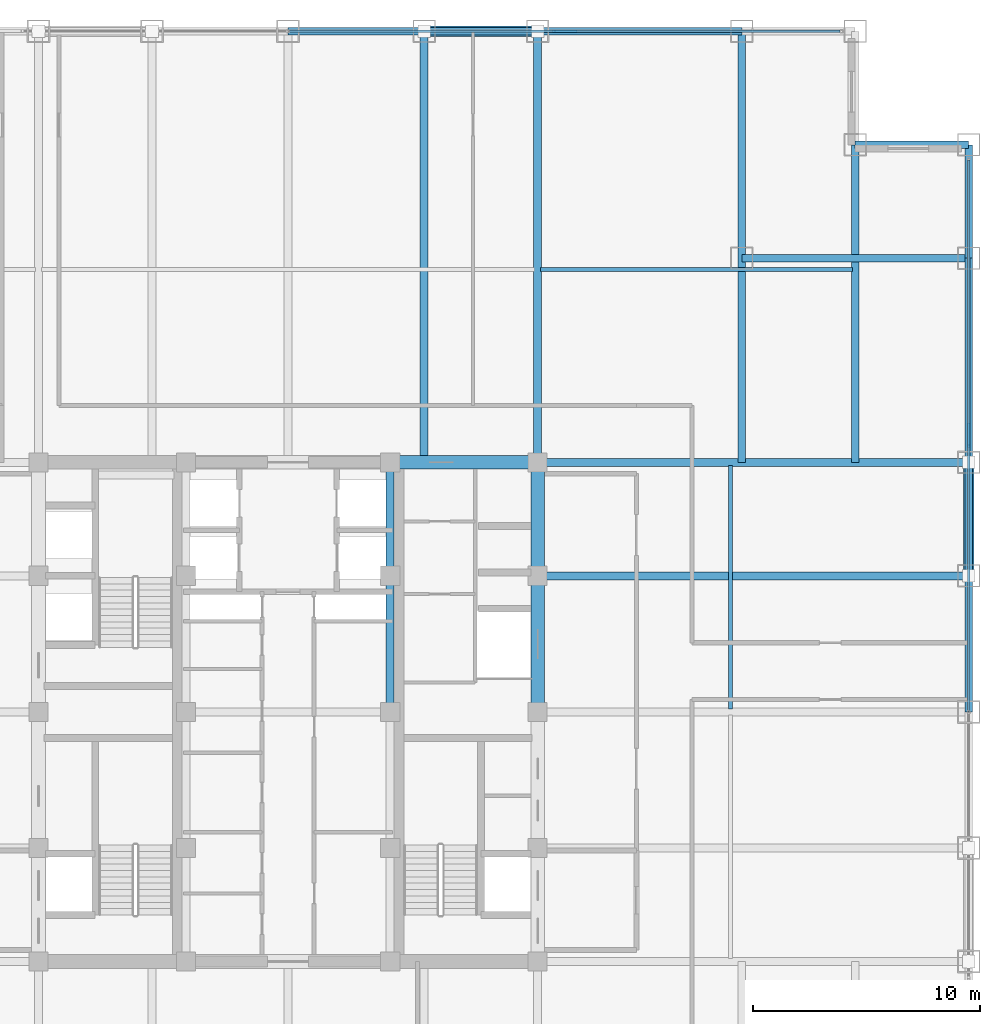
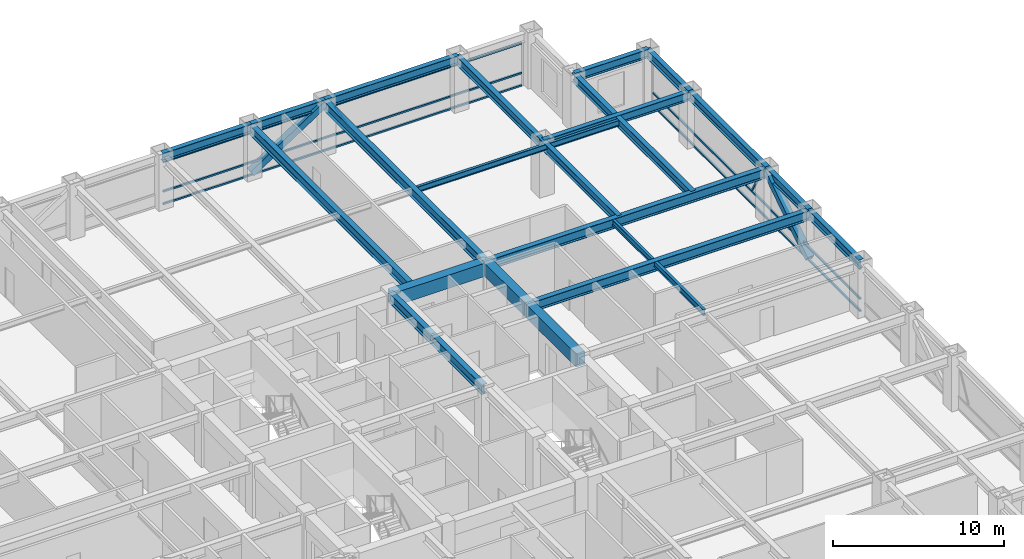
# One storey, part 17 of 24: 22 beams, 10 members, 2 elements without a shape of their own.
"""IFC4 building model written with IfcOpenShell, lengths in metres."""

import ifcopenshell
import ifcopenshell.guid

model = None  # the IFC model being written
_history = None  # IfcOwnerHistory: only IFC2X3 demands one
_inside = {}  # id of a spatial element -> (the spatial element, [elements in it])
_under = {}  # id of a project, library or spatial element -> (it, [spatial elements below it])
_declared = {}  # id of a project -> (the project, [libraries it declares])
_typed = {}  # id of a type object -> (the type object, [elements of that type])
_made_of = {}  # id of a material, layer set ... -> (it, [elements and type objects made of it])


def new_model(schema):
    """Start an empty IFC model of exactly this schema.

    Asked for "IFC4X3", IfcOpenShell would pick the latest addendum, in which some entities
    have other attributes; the version numbers below select the first issue.
    IFC2X3 requires an IfcOwnerHistory on every rooted entity: one is made here for all.
    """
    global model, _history
    if schema == "IFC4X3":
        model = ifcopenshell.file(schema_version=(4, 3, 0, 0))
    else:
        model = ifcopenshell.file(schema=schema)
    _inside.clear()
    _under.clear()
    _declared.clear()
    _typed.clear()
    _made_of.clear()
    _history = None
    if model.schema == "IFC2X3":
        org = make("IfcOrganization", Name="unknown")
        user = make(
            "IfcPersonAndOrganization",
            ThePerson=make("IfcPerson", FamilyName="unknown"),
            TheOrganization=org,
        )
        app = make(
            "IfcApplication",
            ApplicationDeveloper=org,
            Version="unknown",
            ApplicationFullName="unknown",
            ApplicationIdentifier="unknown",
        )
        _history = make(
            "IfcOwnerHistory",
            OwningUser=user,
            OwningApplication=app,
            ChangeAction="ADDED",
            CreationDate=0,
        )
    return model


def make(cls, **values):
    """One entity of the class cls with the attributes given. An attribute that is None is left unset."""
    return model.create_entity(
        cls, **{name: value for name, value in values.items() if value is not None}
    )


def rooted(cls, **values):
    """An entity with a GlobalId (a new one), such as an element, a storey or a relation."""
    return make(cls, GlobalId=ifcopenshell.guid.new(), OwnerHistory=_history, **values)


def si_unit(unit_type, name, prefix=None):
    """IfcSIUnit, for example si_unit("LENGTHUNIT", "METRE", prefix="MILLI")."""
    return make("IfcSIUnit", UnitType=unit_type, Prefix=prefix, Name=name)


def assignment(units):
    """IfcUnitAssignment: the units of a project."""
    return None if units is None else make("IfcUnitAssignment", Units=units)


def point(xyz):
    """IfcCartesianPoint."""
    return None if xyz is None else make("IfcCartesianPoint", Coordinates=xyz)


def direction(xyz):
    """IfcDirection."""
    return None if xyz is None else make("IfcDirection", DirectionRatios=xyz)


def frame(location, z_axis=None, x_axis=None):
    """IfcAxis2Placement3D, a coordinate frame: its origin and axes. An axis left out is left unset."""
    return make(
        "IfcAxis2Placement3D",
        Location=point(location),
        Axis=direction(z_axis),
        RefDirection=direction(x_axis),
    )


def frame_2d(location, x_axis=None):
    """IfcAxis2Placement2D, a coordinate frame in the plane: its origin and x axis."""
    return make(
        "IfcAxis2Placement2D", Location=point(location), RefDirection=direction(x_axis)
    )


def origin():
    """The frame at (0, 0, 0) with its axes left unset."""
    return frame((0.0, 0.0, 0.0))


def origin_2d():
    """The frame at (0, 0) in the plane with its x axis left unset."""
    return frame_2d((0.0, 0.0))


def place(relative_to, where):
    """IfcLocalPlacement: puts the frame where relative to a parent placement (None: the world)."""
    return make(
        "IfcLocalPlacement", PlacementRelTo=relative_to, RelativePlacement=where
    )


def context(
    kind, dimensions, precision=None, world=None, true_north=None, identifier=None
):
    """IfcGeometricRepresentationContext, for example the 3D "Model" context."""
    return make(
        "IfcGeometricRepresentationContext",
        ContextIdentifier=identifier,
        ContextType=kind,
        CoordinateSpaceDimension=dimensions,
        Precision=precision,
        WorldCoordinateSystem=world,
        TrueNorth=true_north,
    )


def subcontext(parent, identifier, kind, view, scale=None):
    """IfcGeometricRepresentationSubContext, for example "Body" below "Model"."""
    return make(
        "IfcGeometricRepresentationSubContext",
        ContextIdentifier=identifier,
        ContextType=kind,
        ParentContext=parent,
        TargetScale=scale,
        TargetView=view,
    )


def project(units=None, contexts=None):
    """IfcProject with its units and contexts."""
    return rooted(
        "IfcProject",
        Name="project",
        RepresentationContexts=contexts,
        UnitsInContext=assignment(units),
    )


def spatial(cls, under=None, at=None, **own):
    """A site, building, storey or space (cls), placed at a placement, below another one or the project."""
    s = rooted(cls, ObjectPlacement=at, **own)
    if under is not None:
        _under.setdefault(under.id(), (under, []))[1].append(s)
    return s


def profile(cls, at=None, kind="AREA", **sizes):
    """A parametric profile (cls). Its sizes go by their IFC names, for example OverallWidth=200.0."""
    return make(cls, ProfileType=kind, Position=at, **sizes)


def rectangle(**sizes):
    """IfcRectangleProfileDef."""
    return profile("IfcRectangleProfileDef", **sizes)


def hollow_rectangle(**sizes):
    """IfcRectangleHollowProfileDef."""
    return profile("IfcRectangleHollowProfileDef", **sizes)


def i_section(**sizes):
    """IfcIShapeProfileDef."""
    return profile("IfcIShapeProfileDef", **sizes)


def extrude(swept, where, along, depth):
    """IfcExtrudedAreaSolid: the profile swept, set in the frame where, extruded along a direction by depth."""
    return make(
        "IfcExtrudedAreaSolid",
        SweptArea=swept,
        Position=where,
        ExtrudedDirection=direction(along),
        Depth=depth,
    )


def shape(context_of_items, identifier, shape_type, items):
    """IfcShapeRepresentation: the items that make up one representation, for example the "Body"."""
    return make(
        "IfcShapeRepresentation",
        ContextOfItems=context_of_items,
        RepresentationIdentifier=identifier,
        RepresentationType=shape_type,
        Items=items,
    )


def source(mapping_origin, context_of_items, identifier, shape_type, items):
    """IfcRepresentationMap: a shape defined once, which mapped items show again and again."""
    return make(
        "IfcRepresentationMap",
        MappingOrigin=mapping_origin,
        MappedRepresentation=shape(context_of_items, identifier, shape_type, items),
    )


def transform(
    local_origin,
    x_axis=None,
    y_axis=None,
    z_axis=None,
    scale=None,
    scale2=None,
    scale3=None,
    uniform=True,
):
    """IfcCartesianTransformationOperator3D, or its non-uniform kind. x_axis, y_axis, z_axis: its Axis1, 2, 3."""
    if uniform:
        return make(
            "IfcCartesianTransformationOperator3D",
            Axis1=direction(x_axis),
            Axis2=direction(y_axis),
            LocalOrigin=point(local_origin),
            Scale=scale,
            Axis3=direction(z_axis),
        )
    return make(
        "IfcCartesianTransformationOperator3DnonUniform",
        Axis1=direction(x_axis),
        Axis2=direction(y_axis),
        LocalOrigin=point(local_origin),
        Scale=scale,
        Axis3=direction(z_axis),
        Scale2=scale2,
        Scale3=scale3,
    )


def mapped(mapping_source, mapping_target):
    """IfcMappedItem: shows the shape of a source again, moved by a transform."""
    return make(
        "IfcMappedItem", MappingSource=mapping_source, MappingTarget=mapping_target
    )


def material(Name=None, Category=None):
    """IfcMaterial."""
    return make("IfcMaterial", Name=Name, Category=Category)


def material_profile(
    of_material, cross_section, Name=None, Category=None, Priority=None
):
    """IfcMaterialProfile: a cross section and its material."""
    return make(
        "IfcMaterialProfile",
        Name=Name,
        Material=of_material,
        Profile=cross_section,
        Priority=Priority,
        Category=Category,
    )


def profile_set(profiles, Name=None, composite=None):
    """IfcMaterialProfileSet."""
    return make(
        "IfcMaterialProfileSet",
        Name=Name,
        MaterialProfiles=profiles,
        CompositeProfile=composite,
    )


def made_of(thing, what):
    """Note that an element or type object is made of a material, layer set ...; save() writes the relation."""
    if what is not None:
        _made_of.setdefault(what.id(), (what, []))[1].append(thing)
    return thing


def type_object(cls, material=None, **own):
    """A type object (cls), such as IfcWallType, which elements share."""
    return made_of(rooted(cls, **own), material)


def element(
    cls,
    number,
    at=None,
    inside=None,
    cuts=None,
    type_object=None,
    material=None,
    context=None,
    identifier="Body",
    shape_type=None,
    held_by="IfcProductDefinitionShape",
    body=None,
    shapes=None,
    **own,
):
    """One element of the class cls, such as IfcWall. Its Tag is "e" and its number.

    at: its placement. inside: the storey or other place that contains it. cuts: it is an
    opening in that element (IfcRelVoidsElement). A single representation is given by context,
    identifier, shape_type and body (its items); several are given by shapes. held_by: the class
    of the entity that holds the representations. save() writes the other relations.
    """
    e = rooted(cls, Tag="e%d" % number, ObjectPlacement=at, **own)
    if body is not None:
        shapes = [shape(context, identifier, shape_type, body)]
    if shapes is not None:
        e.Representation = make(held_by, Representations=shapes)
    if inside is not None:
        _inside.setdefault(inside.id(), (inside, []))[1].append(e)
    if cuts is not None:
        rooted(
            "IfcRelVoidsElement", RelatingBuildingElement=cuts, RelatedOpeningElement=e
        )
    if type_object is not None:
        _typed.setdefault(type_object.id(), (type_object, []))[1].append(e)
    return made_of(e, material)


def aggregate(whole, parts):
    """IfcRelAggregates: a whole, such as a stair, and the parts it consists of."""
    return rooted("IfcRelAggregates", RelatingObject=whole, RelatedObjects=parts)


def save(model, path):
    """Write the relations noted so far, then the file.

    IfcRelAggregates (storeys below a building ...), IfcRelContainedInSpatialStructure (elements
    in a storey), IfcRelDefinesByType, IfcRelAssociatesMaterial and IfcRelDeclares: one each for
    every whole, place, type object, material and project.
    """
    for whole, parts in _under.values():
        aggregate(whole, parts)
    for where, things in _inside.values():
        rooted(
            "IfcRelContainedInSpatialStructure",
            RelatedElements=things,
            RelatingStructure=where,
        )
    for kind, things in _typed.values():
        rooted("IfcRelDefinesByType", RelatedObjects=things, RelatingType=kind)
    for what, things in _made_of.values():
        rooted("IfcRelAssociatesMaterial", RelatedObjects=things, RelatingMaterial=what)
    for by, libraries in _declared.values():
        rooted("IfcRelDeclares", RelatingContext=by, RelatedDefinitions=libraries)
    model.write(path)


model = new_model("IFC4")

# Units and contexts
model_context = context("Model", 3, precision=1e-05, world=origin(), true_north=direction((0.0, 1.0)))
body_context = subcontext(model_context, "Body", "Model", "MODEL_VIEW")
ifc_project = project(units=[si_unit("LENGTHUNIT", "METRE"), si_unit("AREAUNIT", "SQUARE_METRE"), si_unit("VOLUMEUNIT", "CUBIC_METRE"), si_unit("PLANEANGLEUNIT", "RADIAN"), si_unit("MASSUNIT", "GRAM", prefix="KILO")], contexts=[model_context])

# Site, building, storey
site_placement = place(None, origin())
site = spatial("IfcSite", under=ifc_project, at=site_placement, CompositionType="ELEMENT")
building_placement = place(site_placement, origin())
building = spatial("IfcBuilding", under=site, at=building_placement, Name="Khorayat Bourse Tower", CompositionType="ELEMENT")
storey_placement = place(building_placement, frame((0.0, 0.0, 211.10009765625)))
storey = spatial("IfcBuildingStorey", under=building, at=storey_placement, Name="L49", CompositionType="ELEMENT", Elevation=211.10009765625)

# Beams
ifc_material_1 = material(Name="Steel ASTM A992 Grade 50", Category="steel")
ifc_material_profile_1 = material_profile(ifc_material_1, i_section(OverallWidth=0.35498046875, OverallDepth=0.695068359375, WebThickness=0.015380859375, FlangeThickness=0.02490234375, FilletRadius=0.01806640625, at=origin_2d()), Name="W690X217")
ifc_profile_set_1 = profile_set([ifc_material_profile_1], Name="Steel ASTM A992 Grade 50")
beam_type_1 = type_object("IfcBeamType", Name="BM-GIRD-690", PredefinedType="BEAM", material=ifc_profile_set_1)
shared_shape_1 = source(origin(), body_context, "Body", "SweptSolid", [
    extrude(i_section(OverallWidth=0.35498046875, OverallDepth=0.695068359375, WebThickness=0.015380859375, FlangeThickness=0.02490234375, FilletRadius=0.01806640625, at=origin_2d()), origin(), (0.0, 0.0, 1.0), 5.0),
])
beam_1_placement = place(storey_placement, frame((4.5, 6.0, 3.432373046875), z_axis=(0.0, 1.0, 0.0), x_axis=(-1.0, 0.0, 0.0)))
element("IfcBeam", 1, at=beam_1_placement, inside=storey, type_object=beam_type_1, Name="L49 BM-GIRD-690 BM-L49-CRX-12", PredefinedType="BEAM", context=body_context, shape_type="MappedRepresentation", body=[
    mapped(shared_shape_1, transform((0.0, 0.0, 0.0), scale=1.0)),
])
shared_shape_2 = source(origin(), body_context, "Body", "SweptSolid", [
    extrude(i_section(OverallWidth=0.35498046875, OverallDepth=0.695068359375, WebThickness=0.015380859375, FlangeThickness=0.02490234375, FilletRadius=0.01806640625, at=origin_2d()), origin(), (0.0, 0.0, 1.0), 6.0),
])
beam_2_placement = place(storey_placement, frame((4.5, 0.0, 3.432373046875), z_axis=(0.0, 1.0, 0.0), x_axis=(-1.0, 0.0, 0.0)))
element("IfcBeam", 2, at=beam_2_placement, inside=storey, type_object=beam_type_1, Name="L49 BM-GIRD-690 BM-L49-CRX-11", PredefinedType="BEAM", context=body_context, shape_type="MappedRepresentation", body=[
    mapped(shared_shape_2, transform((0.0, 0.0, 0.0), scale=1.0)),
])
ifc_material_profile_2 = material_profile(ifc_material_1, i_section(OverallWidth=0.324951171875, OverallDepth=0.615966796875, WebThickness=0.013916015625, FlangeThickness=0.021484375, FilletRadius=0.01611328125, at=origin_2d()), Name="W610X174")
ifc_profile_set_2 = profile_set([ifc_material_profile_2], Name="Steel ASTM A992 Grade 50")
beam_type_2 = type_object("IfcBeamType", Name="BM-GIRD-610", PredefinedType="BEAM", material=ifc_profile_set_2)
shared_shape_3 = source(origin(), body_context, "Body", "SweptSolid", [
    extrude(i_section(OverallWidth=0.324951171875, OverallDepth=0.615966796875, WebThickness=0.013916015625, FlangeThickness=0.021484375, FilletRadius=0.01611328125, at=origin_2d()), origin(), (0.0, 0.0, 1.0), 19.0),
])
beam_3_placement = place(storey_placement, frame((20.0, 11.0, 3.471923828125), z_axis=(0.0, 1.0, 0.0), x_axis=(-1.0, 0.0, 0.0)))
element("IfcBeam", 3, at=beam_3_placement, inside=storey, type_object=beam_type_2, Name="L49 BM-GIRD-610 BM-L49-CNRY-087", PredefinedType="BEAM", context=body_context, shape_type="MappedRepresentation", body=[
    mapped(shared_shape_3, transform((0.0, 0.0, 0.0), scale=1.0)),
])
shared_shape_4 = source(origin(), body_context, "Body", "SweptSolid", [
    extrude(i_section(OverallWidth=0.324951171875, OverallDepth=0.615966796875, WebThickness=0.013916015625, FlangeThickness=0.021484375, FilletRadius=0.01611328125, at=origin_2d()), origin(), (0.0, 0.0, 1.0), 10.0),
])
beam_4_placement = place(storey_placement, frame((20.0, 20.0, 3.471923828125), z_axis=(1.0, 0.0, 0.0), x_axis=(0.0, 1.0, 0.0)))
element("IfcBeam", 4, at=beam_4_placement, inside=storey, type_object=beam_type_2, Name="L49 BM-GIRD-610 BM-L49-CNRX-094", PredefinedType="BEAM", context=body_context, shape_type="MappedRepresentation", body=[
    mapped(shared_shape_4, transform((0.0, 0.0, 0.0), scale=1.0)),
])
ifc_material_profile_3 = material_profile(ifc_material_1, i_section(OverallWidth=0.180908203125, OverallDepth=0.4169921875, WebThickness=0.010986328125, FlangeThickness=0.018310546875, FilletRadius=0.011962890625, at=origin_2d()), Name="W410X85")
ifc_profile_set_3 = profile_set([ifc_material_profile_3], Name="Steel ASTM A992 Grade 50")
beam_type_3 = type_object("IfcBeamType", Name="BM-JOIST-410", PredefinedType="JOIST", material=ifc_profile_set_3)
shared_shape_5 = source(origin(), body_context, "Body", "SweptSolid", [
    extrude(i_section(OverallWidth=0.180908203125, OverallDepth=0.4169921875, WebThickness=0.010986328125, FlangeThickness=0.018310546875, FilletRadius=0.011962890625, at=origin_2d()), origin(), (0.0, 0.0, 1.0), 10.740234375),
])
beam_5_placement = place(storey_placement, frame((19.5, 0.1298828125, 3.5712890625), z_axis=(0.0, 1.0, 0.0), x_axis=(-1.0, 0.0, 0.0)))
element("IfcBeam", 5, at=beam_5_placement, inside=storey, type_object=beam_type_3, Name="L49 BM-JOIST-410 BM-L49-JSTY-105", PredefinedType="JOIST", context=body_context, shape_type="MappedRepresentation", body=[
    mapped(shared_shape_5, transform((0.0, 0.0, 0.0), scale=1.0)),
])
ifc_material_profile_4 = material_profile(ifc_material_1, i_section(OverallWidth=0.324951171875, OverallDepth=0.615966796875, WebThickness=0.013916015625, FlangeThickness=0.021484375, FilletRadius=0.01611328125, at=origin_2d()), Name="W610X174")
ifc_profile_set_4 = profile_set([ifc_material_profile_4], Name="Steel ASTM A992 Grade 50")
beam_type_4 = type_object("IfcBeamType", Name="BM-SPAN-610", PredefinedType="SPANDREL", material=ifc_profile_set_4)
shared_shape_6 = source(origin(), body_context, "Body", "SweptSolid", [
    extrude(i_section(OverallWidth=0.324951171875, OverallDepth=0.615966796875, WebThickness=0.013916015625, FlangeThickness=0.021484375, FilletRadius=0.01611328125, at=origin_2d()), origin(), (0.0, 0.0, 1.0), 9.0),
])
for number, where, z_axis, x_axis, name in (
    (6, (30.0, 11.0, 3.471923828125), (0.0, 1.0, 0.0), (-1.0, 0.0, 0.0), "L49 BM-SPAN-610 BM-L49-SPN-040"),
    (7, (11.0, 30.0, 3.471923828125), (1.0, 0.0, 0.0), (0.0, 1.0, 0.0), "L49 BM-SPAN-610 BM-L49-SPN-045"),
):
    element("IfcBeam", number, at=place(storey_placement, frame(where, z_axis=z_axis, x_axis=x_axis)), inside=storey, type_object=beam_type_4, Name=name, PredefinedType="SPANDREL", context=body_context, shape_type="MappedRepresentation", body=[
        mapped(shared_shape_6, transform((0.0, 0.0, 0.0), scale=1.0)),
    ])
shared_shape_7 = source(origin(), body_context, "Body", "SweptSolid", [
    extrude(i_section(OverallWidth=0.324951171875, OverallDepth=0.615966796875, WebThickness=0.013916015625, FlangeThickness=0.021484375, FilletRadius=0.01611328125, at=origin_2d()), origin(), (0.0, 0.0, 1.0), 5.0),
])
for number, where, z_axis, x_axis, name in (
    (8, (30.0, 6.0, 3.471923828125), (0.0, 1.0, 0.0), (-1.0, 0.0, 0.0), "L49 BM-SPAN-610 BM-L49-SPN-039"),
    (9, (30.0, 20.0, 3.471923828125), (0.0, 1.0, 0.0), (-1.0, 0.0, 0.0), "L49 BM-SPAN-610 BM-L49-SPN-041"),
    (10, (25.0, 25.0, 3.471923828125), (1.0, 0.0, 0.0), (0.0, 1.0, 0.0), "L49 BM-SPAN-610 BM-L49-SPN-042"),
    (11, (6.0, 30.0, 3.471923828125), (1.0, 0.0, 0.0), (0.0, 1.0, 0.0), "L49 BM-SPAN-610 BM-L49-SPN-046"),
):
    element("IfcBeam", number, at=place(storey_placement, frame(where, z_axis=z_axis, x_axis=x_axis)), inside=storey, type_object=beam_type_4, Name=name, PredefinedType="SPANDREL", context=body_context, shape_type="MappedRepresentation", body=[
        mapped(shared_shape_7, transform((0.0, 0.0, 0.0), scale=1.0)),
    ])
shared_shape_8 = source(origin(), body_context, "Body", "SweptSolid", [
    extrude(i_section(OverallWidth=0.324951171875, OverallDepth=0.615966796875, WebThickness=0.013916015625, FlangeThickness=0.021484375, FilletRadius=0.01611328125, at=origin_2d()), origin(), (0.0, 0.0, 1.0), 6.0),
])
for number, where, z_axis, x_axis, name in (
    (12, (30.0, 0.0, 3.471923828125), (0.0, 1.0, 0.0), (-1.0, 0.0, 0.0), "L49 BM-SPAN-610 BM-L49-SPN-038"),
    (13, (0.0, 30.0, 3.471923828125), (1.0, 0.0, 0.0), (0.0, 1.0, 0.0), "L49 BM-SPAN-610 BM-L49-SPN-047"),
):
    element("IfcBeam", number, at=place(storey_placement, frame(where, z_axis=z_axis, x_axis=x_axis)), inside=storey, type_object=beam_type_4, Name=name, PredefinedType="SPANDREL", context=body_context, shape_type="MappedRepresentation", body=[
        mapped(shared_shape_8, transform((0.0, 0.0, 0.0), scale=1.0)),
    ])
ifc_material_2 = material(Name="Concrete C60/75", Category="concrete")
ifc_material_profile_5 = material_profile(ifc_material_2, rectangle(XDim=0.60009765625, YDim=0.949951171875, at=origin_2d()), Name="RC 600x950")
ifc_profile_set_5 = profile_set([ifc_material_profile_5], Name="Concrete C60/75")
beam_type_5 = type_object("IfcBeamType", Name="BM-COUP-950", PredefinedType="BEAM", material=ifc_profile_set_5)
shared_shape_9 = source(origin(), body_context, "Body", "SweptSolid", [
    extrude(rectangle(XDim=0.60009765625, YDim=0.949951171875, at=origin_2d()), origin(), (0.0, 0.0, 1.0), 5.0),
])
beam_6_placement = place(storey_placement, frame((11.0, 6.0, 3.304931640625), z_axis=(0.0, 1.0, 0.0), x_axis=(-1.0, 0.0, 0.0)))
element("IfcBeam", 14, at=beam_6_placement, inside=storey, type_object=beam_type_5, Name="L49 BM-COUP-950 BM-L49-CRX-16", PredefinedType="BEAM", context=body_context, shape_type="MappedRepresentation", body=[
    mapped(shared_shape_9, transform((0.0, 0.0, 0.0), scale=1.0)),
])
shared_shape_10 = source(origin(), body_context, "Body", "SweptSolid", [
    extrude(rectangle(XDim=0.60009765625, YDim=0.949951171875, at=origin_2d()), origin(), (0.0, 0.0, 1.0), 6.0),
])
beam_7_placement = place(storey_placement, frame((11.0, 0.0, 3.304931640625), z_axis=(0.0, 1.0, 0.0), x_axis=(-1.0, 0.0, 0.0)))
element("IfcBeam", 15, at=beam_7_placement, inside=storey, type_object=beam_type_5, Name="L49 BM-COUP-950 BM-L49-CRX-15", PredefinedType="BEAM", context=body_context, shape_type="MappedRepresentation", body=[
    mapped(shared_shape_10, transform((0.0, 0.0, 0.0), scale=1.0)),
])
shared_shape_11 = source(origin(), body_context, "Body", "SweptSolid", [
    extrude(rectangle(XDim=0.60009765625, YDim=0.949951171875, at=origin_2d()), origin(), (0.0, 0.0, 1.0), 6.5),
])
beam_8_placement = place(storey_placement, frame((4.5, 11.0, 3.304931640625), z_axis=(1.0, 0.0, 0.0), x_axis=(0.0, 1.0, 0.0)))
element("IfcBeam", 16, at=beam_8_placement, inside=storey, type_object=beam_type_5, Name="L49 BM-COUP-950 BM-L49-CRY-22", PredefinedType="BEAM", context=body_context, shape_type="MappedRepresentation", body=[
    mapped(shared_shape_11, transform((0.0, 0.0, 0.0), scale=1.0)),
])
shared_shape_12 = source(origin(), body_context, "Body", "SweptSolid", [
    extrude(i_section(OverallWidth=0.35498046875, OverallDepth=0.695068359375, WebThickness=0.015380859375, FlangeThickness=0.02490234375, FilletRadius=0.01806640625, at=origin_2d()), origin(), (0.0, 0.0, 1.0), 19.0),
])
for number, where, z_axis, x_axis, name in (
    (17, (6.0, 11.0, 3.432373046875), (0.0, 1.0, 0.0), (-1.0, 0.0, 0.0), "L49 BM-GIRD-690 BM-L49-RADY-070"),
    (18, (11.0, 11.0, 3.432373046875), (0.0, 1.0, 0.0), (-1.0, 0.0, 0.0), "L49 BM-GIRD-690 BM-L49-RADY-072"),
    (19, (11.0, 6.0, 3.432373046875), (1.0, 0.0, 0.0), (0.0, 1.0, 0.0), "L49 BM-GIRD-690 BM-L49-RADX-080"),
    (20, (11.0, 11.0, 3.432373046875), (1.0, 0.0, 0.0), (0.0, 1.0, 0.0), "L49 BM-GIRD-690 BM-L49-RADX-082"),
):
    element("IfcBeam", number, at=place(storey_placement, frame(where, z_axis=z_axis, x_axis=x_axis)), inside=storey, type_object=beam_type_1, Name=name, PredefinedType="BEAM", context=body_context, shape_type="MappedRepresentation", body=[
        mapped(shared_shape_12, transform((0.0, 0.0, 0.0), scale=1.0)),
    ])
shared_shape_13 = source(origin(), body_context, "Body", "SweptSolid", [
    extrude(i_section(OverallWidth=0.324951171875, OverallDepth=0.615966796875, WebThickness=0.013916015625, FlangeThickness=0.021484375, FilletRadius=0.01611328125, at=origin_2d()), origin(), (0.0, 0.0, 1.0), 14.0),
])
beam_9_placement = place(storey_placement, frame((25.0, 11.0, 3.471923828125), z_axis=(0.0, 1.0, 0.0), x_axis=(-1.0, 0.0, 0.0)))
element("IfcBeam", 21, at=beam_9_placement, inside=storey, type_object=beam_type_2, Name="L49 BM-GIRD-610 BM-L49-CNRY-091", PredefinedType="BEAM", context=body_context, shape_type="MappedRepresentation", body=[
    mapped(shared_shape_13, transform((0.0, 0.0, 0.0), scale=1.0)),
])
shared_shape_14 = source(origin(), body_context, "Body", "SweptSolid", [
    extrude(i_section(OverallWidth=0.180908203125, OverallDepth=0.4169921875, WebThickness=0.010986328125, FlangeThickness=0.018310546875, FilletRadius=0.011962890625, at=origin_2d()), origin(), (0.0, 0.0, 1.0), 13.740234375),
])
beam_10_placement = place(storey_placement, frame((11.1298828125, 19.5, 3.5712890625), z_axis=(1.0, 0.0, 0.0), x_axis=(0.0, 1.0, 0.0)))
element("IfcBeam", 22, at=beam_10_placement, inside=storey, type_object=beam_type_3, Name="L49 BM-JOIST-410 BM-L49-JSTX-101", PredefinedType="JOIST", context=body_context, shape_type="MappedRepresentation", body=[
    mapped(shared_shape_14, transform((0.0, 0.0, 0.0), scale=1.0)),
])

# Members
ifc_material_3 = material(Name="Steel EN 10025-4 S460M", Category="steel")
ifc_material_profile_6 = material_profile(ifc_material_3, hollow_rectangle(XDim=0.449951171875, YDim=0.449951171875, WallThickness=0.02490234375, at=origin_2d()), Name="HSS 450x450x25")
ifc_profile_set_6 = profile_set([ifc_material_profile_6], Name="Steel EN 10025-4 S460M")
member_type_1 = type_object("IfcMemberType", Name="MBR-TUBE-450", PredefinedType="BRACE", material=ifc_profile_set_6)
shared_shape_15 = source(origin(), body_context, "Body", "SweptSolid", [
    extrude(hollow_rectangle(XDim=0.449951171875, YDim=0.449951171875, WallThickness=0.02490234375, at=origin_2d()), origin(), (0.0, 0.0, 1.0), 5.979736328125),
])
for number, where, z_axis, x_axis, name in (
    (23, (6.0, 30.0, 0.25), (0.836160261256, 0.0, 0.548485202623), (0.0, 1.0, 0.0), "L49 Perimeter Tube Brace 04"),
    (24, (30.0, 6.0, 0.25), (0.0, 0.836160261256, 0.548485202623), (-1.0, 0.0, 0.0), "L49 Perimeter Tube Brace 08"),
):
    element("IfcMember", number, at=place(storey_placement, frame(where, z_axis=z_axis, x_axis=x_axis)), inside=storey, type_object=member_type_1, Name=name, PredefinedType="BRACE", context=body_context, shape_type="MappedRepresentation", body=[
        mapped(shared_shape_15, transform((0.0, 0.0, 0.0), scale=1.0)),
    ])

# Curtain wall, member
ifc_material_4 = material(Name="Aluminium EN AW-6063 T6", Category="aluminium")
curtain_wall_type = type_object("IfcCurtainWallType", Name="CW-SYS-03", PredefinedType="NOTDEFINED", material=ifc_material_4)
curtain_wall_1_placement = place(storey_placement, origin())
curtain_wall_1 = element("IfcCurtainWall", 25, at=curtain_wall_1_placement, inside=storey, type_object=curtain_wall_type, Name="L49 Curtain Wall CW-L49-N1", PredefinedType="NOTDEFINED")
ifc_material_profile_7 = material_profile(ifc_material_4, hollow_rectangle(XDim=0.1201171875, YDim=0.1201171875, WallThickness=0.0048828125, at=origin_2d()), Name="ALU 120x120x5")
ifc_profile_set_7 = profile_set([ifc_material_profile_7], Name="Aluminium EN AW-6063 T6")
member_type_2 = type_object("IfcMemberType", Name="CWM-DIAG-120", PredefinedType="MULLION", material=ifc_profile_set_7)
shared_shape_16 = source(origin(), body_context, "Body", "SweptSolid", [
    extrude(hollow_rectangle(XDim=0.1201171875, YDim=0.1201171875, WallThickness=0.0048828125, at=origin_2d()), origin(), (0.0, 0.0, 1.0), 2.079345703125),
])
member_1_placement = place(storey_placement, frame((12.67919921875, 30.0, 1.08984375), z_axis=(-0.465760949701, 0.0, 0.884910581773), x_axis=(0.0, -1.0, 0.0)))
member_1 = element("IfcMember", 26, at=member_1_placement, type_object=member_type_2, Name="CW-L49-N1 Faceted Diagonal Mullion 2", PredefinedType="MULLION", context=body_context, shape_type="MappedRepresentation", body=[
    mapped(shared_shape_16, transform((0.0, 0.0, 0.0), scale=1.0)),
])

curtain_wall_2_placement = place(storey_placement, origin())
curtain_wall_2 = element("IfcCurtainWall", 27, at=curtain_wall_2_placement, inside=storey, type_object=curtain_wall_type, Name="L49 Curtain Wall CW-L49-E1", PredefinedType="NOTDEFINED")
member_2_placement = place(storey_placement, frame((30.0, 12.67919921875, 1.08984375), z_axis=(0.0, -0.465760949701, 0.884910581773), x_axis=(1.0, 0.0, 0.0)))
member_2 = element("IfcMember", 28, at=member_2_placement, type_object=member_type_2, Name="CW-L49-E1 Faceted Diagonal Mullion 2", PredefinedType="MULLION", context=body_context, shape_type="MappedRepresentation", body=[
    mapped(shared_shape_16, transform((0.0, 0.0, 0.0), scale=1.0)),
])

# Member
ifc_material_profile_8 = material_profile(ifc_material_4, hollow_rectangle(XDim=0.1201171875, YDim=0.1201171875, WallThickness=0.0048828125, at=origin_2d()), Name="ALU 120x120x5")
ifc_profile_set_8 = profile_set([ifc_material_profile_8], Name="Aluminium EN AW-6063 T6")
member_type_3 = type_object("IfcMemberType", Name="CWT-HORZ-120", PredefinedType="USERDEFINED", material=ifc_profile_set_8)
shared_shape_17 = source(origin(), body_context, "Body", "SweptSolid", [
    extrude(hollow_rectangle(XDim=0.1201171875, YDim=0.1201171875, WallThickness=0.0048828125, at=origin_2d()), origin(), (0.0, 0.0, 1.0), 24.27001953125),
])
member_3_placement = place(storey_placement, frame((0.06005859375, 30.0, 0.059814453125), z_axis=(1.0, 0.0, 0.0), x_axis=(0.0, 1.0, 0.0)))
member_3 = element("IfcMember", 29, at=member_3_placement, type_object=member_type_3, Name="CW-L49-N1 Horizontal Transom 2-1", ObjectType="TRANSOM", PredefinedType="USERDEFINED", context=body_context, shape_type="MappedRepresentation", body=[
    mapped(shared_shape_17, transform((0.0, 0.0, 0.0), scale=1.0)),
])

member_4_placement = place(storey_placement, frame((0.06005859375, 30.0, 0.949951171875), z_axis=(1.0, 0.0, 0.0), x_axis=(0.0, 1.0, 0.0)))
member_4 = element("IfcMember", 30, at=member_4_placement, type_object=member_type_3, Name="CW-L49-N1 Horizontal Transom 2-2", ObjectType="TRANSOM", PredefinedType="USERDEFINED", context=body_context, shape_type="MappedRepresentation", body=[
    mapped(shared_shape_17, transform((0.0, 0.0, 0.0), scale=1.0)),
])

member_5_placement = place(storey_placement, frame((0.06005859375, 30.0, 3.06982421875), z_axis=(1.0, 0.0, 0.0), x_axis=(0.0, 1.0, 0.0)))
member_5 = element("IfcMember", 31, at=member_5_placement, type_object=member_type_3, Name="CW-L49-N1 Horizontal Transom 2-3", ObjectType="TRANSOM", PredefinedType="USERDEFINED", context=body_context, shape_type="MappedRepresentation", body=[
    mapped(shared_shape_17, transform((0.0, 0.0, 0.0), scale=1.0)),
])

aggregate(curtain_wall_1, [member_3, member_4, member_5, member_1])

member_6_placement = place(storey_placement, frame((30.0, 0.06005859375, 0.059814453125), z_axis=(0.0, 1.0, 0.0), x_axis=(-1.0, 0.0, 0.0)))
member_6 = element("IfcMember", 32, at=member_6_placement, type_object=member_type_3, Name="CW-L49-E1 Horizontal Transom 2-1", ObjectType="TRANSOM", PredefinedType="USERDEFINED", context=body_context, shape_type="MappedRepresentation", body=[
    mapped(shared_shape_17, transform((0.0, 0.0, 0.0), scale=1.0)),
])

member_7_placement = place(storey_placement, frame((30.0, 0.06005859375, 0.949951171875), z_axis=(0.0, 1.0, 0.0), x_axis=(-1.0, 0.0, 0.0)))
member_7 = element("IfcMember", 33, at=member_7_placement, type_object=member_type_3, Name="CW-L49-E1 Horizontal Transom 2-2", ObjectType="TRANSOM", PredefinedType="USERDEFINED", context=body_context, shape_type="MappedRepresentation", body=[
    mapped(shared_shape_17, transform((0.0, 0.0, 0.0), scale=1.0)),
])

member_8_placement = place(storey_placement, frame((30.0, 0.06005859375, 3.06982421875), z_axis=(0.0, 1.0, 0.0), x_axis=(-1.0, 0.0, 0.0)))
member_8 = element("IfcMember", 34, at=member_8_placement, type_object=member_type_3, Name="CW-L49-E1 Horizontal Transom 2-3", ObjectType="TRANSOM", PredefinedType="USERDEFINED", context=body_context, shape_type="MappedRepresentation", body=[
    mapped(shared_shape_17, transform((0.0, 0.0, 0.0), scale=1.0)),
])

aggregate(curtain_wall_2, [member_6, member_7, member_8, member_2])

save(model, "model.ifc")
